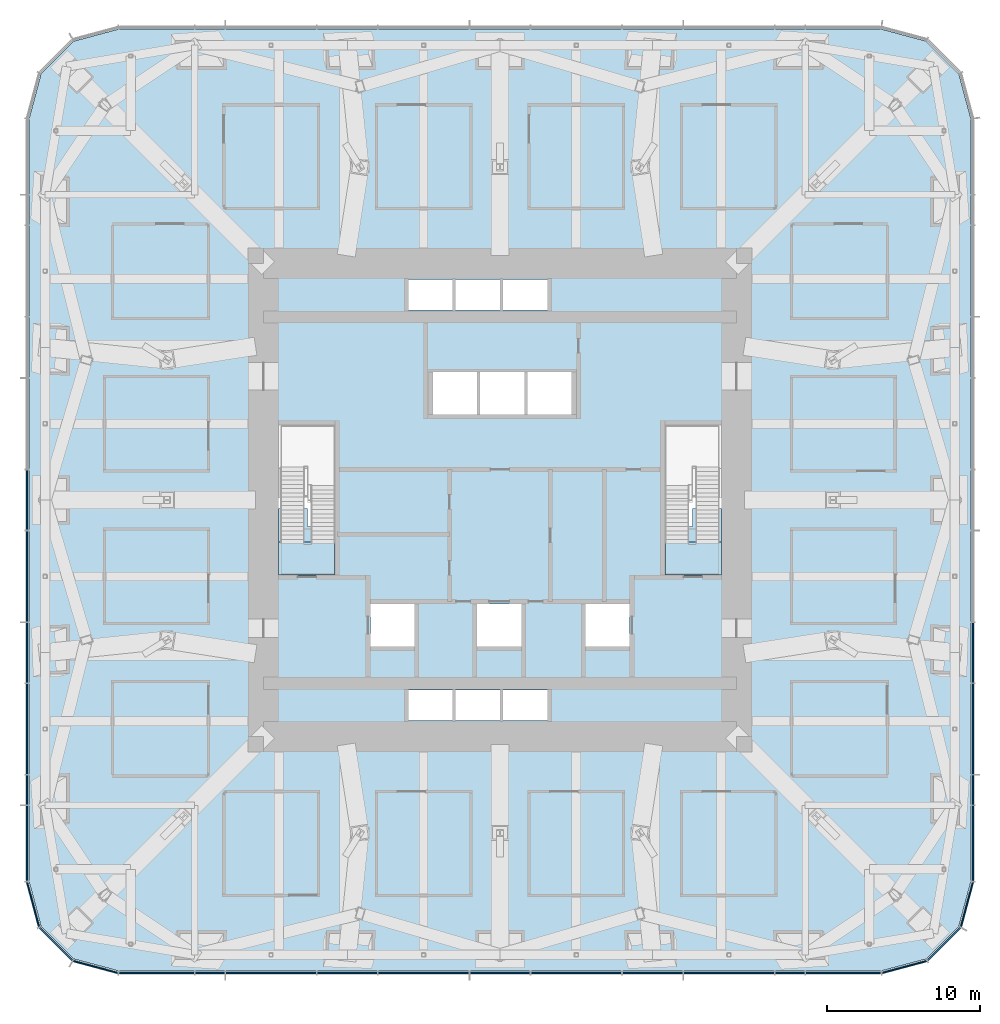
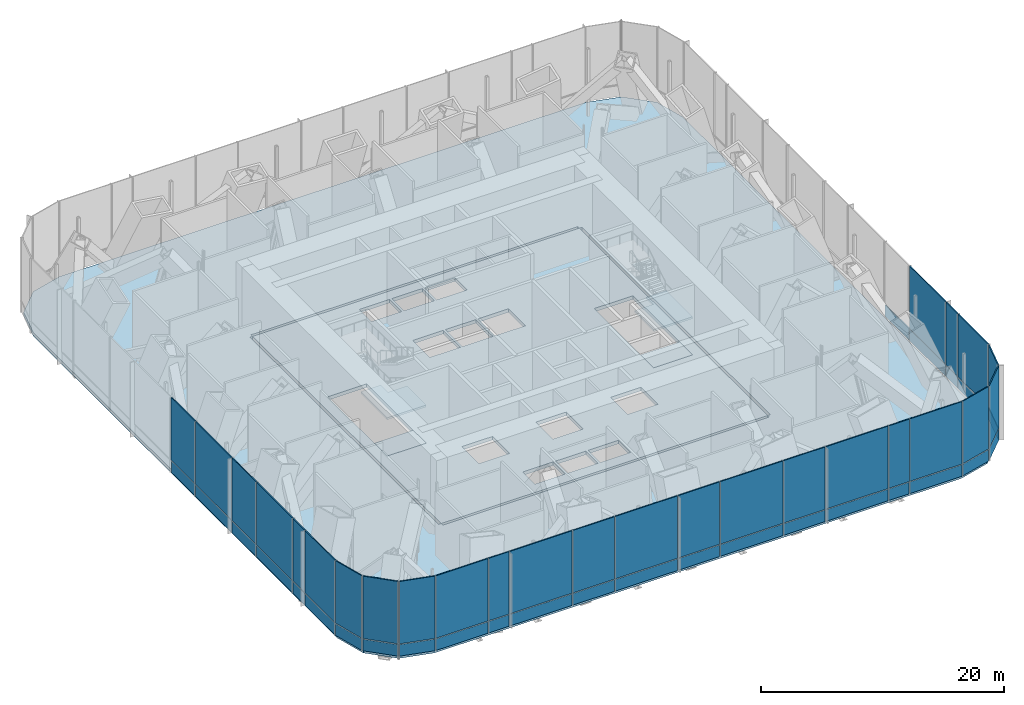
# One storey, part 10 of 20: 53 plates, 6 slabs, 7 elements without a shape of their own.
"""IFC4 building model written with IfcOpenShell, lengths in metres."""

from ifc_helpers import new_model, si_unit, direction, frame, origin, origin_2d, place, context, subcontext, project, spatial, polyline, rectangle, outline, extrude, material, layer, layer_set, type_object, element, aggregate, save


model = new_model("IFC4")

# Units and contexts
model_context = context("Model", 3, precision=1e-05, world=origin(), true_north=direction((0.0, 1.0)))
body_context = subcontext(model_context, "Body", "Model", "MODEL_VIEW")
ifc_project = project(units=[si_unit("LENGTHUNIT", "METRE"), si_unit("AREAUNIT", "SQUARE_METRE"), si_unit("VOLUMEUNIT", "CUBIC_METRE"), si_unit("PLANEANGLEUNIT", "RADIAN"), si_unit("MASSUNIT", "GRAM", prefix="KILO")], contexts=[model_context])

# Site, building, storey
site_placement = place(None, origin())
site = spatial("IfcSite", under=ifc_project, at=site_placement, CompositionType="ELEMENT")
building_placement = place(site_placement, origin())
building = spatial("IfcBuilding", under=site, at=building_placement, Name="Khuree Lantern Residences", CompositionType="ELEMENT")
storey_placement = place(building_placement, frame((0.0, 0.0, 99.75)))
storey = spatial("IfcBuildingStorey", under=building, at=storey_placement, Name="L25", CompositionType="ELEMENT", Elevation=99.75)

# Slabs
ifc_material_1 = material(Name="Concrete C35/45", Category="concrete")
ifc_layer_1 = layer(ifc_material_1, 0.35009765625)
ifc_layer_set_1 = layer_set([ifc_layer_1], Name="CFL350 CORE FLOOR SLAB 350")
slab_type_1 = type_object("IfcSlabType", Name="CFL350 CORE FLOOR SLAB 350", PredefinedType="FLOOR", material=ifc_layer_set_1)
slab_1_placement = place(storey_placement, frame((0.0, 0.0, -0.35009765625)))
element("IfcSlab", 1, at=slab_1_placement, inside=storey, type_object=slab_type_1, Name="Core floor L25", PredefinedType="FLOOR", context=body_context, shape_type="SweptSolid", body=[
    extrude(outline(polyline([(-15.5, -15.5), (-15.5, 15.5), (15.5, 15.5), (15.5, -15.5), (-15.5, -15.5)]), holes=[polyline([(14.5, 4.89990234375), (10.800048828125, 4.89990234375), (10.800048828125, -4.89990234375), (14.5, -4.89990234375), (14.5, 4.89990234375)]), polyline([(8.5, -6.800048828125), (5.60009765625, -6.800048828125), (5.60009765625, -9.60009765625), (8.5, -9.60009765625), (8.5, -6.800048828125)]), polyline([(4.699951171875, 8.39990234375), (1.800048828125, 8.39990234375), (1.800048828125, 5.60009765625), (4.699951171875, 5.60009765625), (4.699951171875, 8.39990234375)]), polyline([(0.199951171875, -12.449951171875), (0.199951171875, -14.449951171875), (3.10009765625, -14.449951171875), (3.10009765625, -12.449951171875), (0.199951171875, -12.449951171875)]), polyline([(3.10009765625, 14.449951171875), (0.199951171875, 14.449951171875), (0.199951171875, 12.449951171875), (3.10009765625, 12.449951171875), (3.10009765625, 14.449951171875)]), polyline([(1.60009765625, 8.39990234375), (-1.300048828125, 8.39990234375), (-1.300048828125, 5.60009765625), (1.60009765625, 5.60009765625), (1.60009765625, 8.39990234375)]), polyline([(1.39990234375, -6.800048828125), (-1.5, -6.800048828125), (-1.5, -9.60009765625), (1.39990234375, -9.60009765625), (1.39990234375, -6.800048828125)]), polyline([(0.0, -12.449951171875), (-2.89990234375, -12.449951171875), (-2.89990234375, -14.449951171875), (0.0, -14.449951171875), (0.0, -12.449951171875)]), polyline([(0.0, 14.449951171875), (-2.89990234375, 14.449951171875), (-2.89990234375, 12.449951171875), (0.0, 12.449951171875), (0.0, 14.449951171875)]), polyline([(-1.5, 8.39990234375), (-4.39990234375, 8.39990234375), (-4.39990234375, 5.60009765625), (-1.5, 5.60009765625), (-1.5, 8.39990234375)]), polyline([(-6.0, -12.449951171875), (-6.0, -14.449951171875), (-3.10009765625, -14.449951171875), (-3.10009765625, -12.449951171875), (-6.0, -12.449951171875)]), polyline([(-3.10009765625, 14.449951171875), (-6.0, 14.449951171875), (-6.0, 12.449951171875), (-3.10009765625, 12.449951171875), (-3.10009765625, 14.449951171875)]), polyline([(-5.60009765625, -6.800048828125), (-8.5, -6.800048828125), (-8.5, -9.60009765625), (-5.60009765625, -9.60009765625), (-5.60009765625, -6.800048828125)]), polyline([(-10.800048828125, 4.89990234375), (-14.5, 4.89990234375), (-14.5, -4.89990234375), (-10.800048828125, -4.89990234375), (-10.800048828125, 4.89990234375)])]), origin(), (0.0, 0.0, 1.0), 0.35009765625),
])
ifc_layer_2 = layer(ifc_material_1, 0.35009765625)
ifc_layer_set_2 = layer_set([ifc_layer_2], Name="FS350 FLOOR SLAB 350")
slab_type_2 = type_object("IfcSlabType", Name="FS350 FLOOR SLAB 350", PredefinedType="FLOOR", material=ifc_layer_set_2)
slab_2_placement = place(storey_placement, frame((0.0, 0.0, -0.35009765625)))
element("IfcSlab", 2, at=slab_2_placement, inside=storey, type_object=slab_type_2, Name="Floor slab L25", PredefinedType="FLOOR", context=body_context, shape_type="SweptSolid", body=[
    extrude(outline(polyline([(-27.925048828125, -30.066162109375), (-30.066162109375, -27.925048828125), (-30.85009765625, -25.0), (-30.85009765625, 25.0), (-30.066162109375, 27.925048828125), (-27.925048828125, 30.066162109375), (-25.0, 30.85009765625), (25.0, 30.85009765625), (27.925048828125, 30.066162109375), (30.066162109375, 27.925048828125), (30.85009765625, 25.0), (30.85009765625, -25.0), (30.066162109375, -27.925048828125), (27.925048828125, -30.066162109375), (25.0, -30.85009765625), (-25.0, -30.85009765625), (-27.925048828125, -30.066162109375)]), holes=[polyline([(15.75, 15.5), (15.5, 15.5), (15.5, 15.75), (-15.5, 15.75), (-15.5, 15.5), (-15.75, 15.5), (-15.75, -15.5), (-15.5, -15.5), (-15.5, -15.75), (15.5, -15.75), (15.5, -15.5), (15.75, -15.5), (15.75, 15.5)])]), origin(), (0.0, 0.0, 1.0), 0.35009765625),
])

# Curtain wall, plates
ifc_material_2 = material(Name="Bronze anodised aluminium", Category="aluminium")
curtain_wall_type = type_object("IfcCurtainWallType", Name="CW-G PLANT STOREY LOUVRED CURTAIN WALL", PredefinedType="USERDEFINED", material=ifc_material_2)
curtain_wall_1_placement = place(storey_placement, origin())
curtain_wall_1 = element("IfcCurtainWall", 3, at=curtain_wall_1_placement, inside=storey, type_object=curtain_wall_type, Name="L25 SOUTH-EAST CORNER CURTAIN WALL", ObjectType="Louvred curtain wall", PredefinedType="USERDEFINED")
ifc_material_3 = material(Name="Bronze anodised aluminium louvre blades", Category="aluminium")
ifc_layer_3 = layer(ifc_material_3, 0.10009765625)
ifc_layer_set_3 = layer_set([ifc_layer_3], Name="LOUVRE PANEL P5")
plate_type_1 = type_object("IfcPlateType", Name="LOUVRE PANEL P5", PredefinedType="CURTAIN_PANEL", material=ifc_layer_set_3)
plate_1_placement = place(storey_placement, frame((26.49609375, -30.59912109375, 1.240234375), z_axis=(0.0, 0.0, 1.0), x_axis=(0.965925792265, 0.258819172081, 0.0)))
plate_1 = element("IfcPlate", 4, at=plate_1_placement, type_object=plate_type_1, Name="L25 SOUTH-EAST CORNER PANEL 1.2", PredefinedType="CURTAIN_PANEL", context=body_context, shape_type="SweptSolid", body=[
    extrude(rectangle(XDim=3.004150390625, YDim=0.10009765625, at=origin_2d()), origin(), (0.0, 0.0, 1.0), 6.260009765625),
])
plate_2_placement = place(storey_placement, frame((29.09814453125, -29.09814453125, 1.240234375), z_axis=(0.0, 0.0, 1.0), x_axis=(0.707106781187, 0.707106781187, 0.0)))
plate_2 = element("IfcPlate", 5, at=plate_2_placement, type_object=plate_type_1, Name="L25 SOUTH-EAST CORNER PANEL 2.2", PredefinedType="CURTAIN_PANEL", context=body_context, shape_type="SweptSolid", body=[
    extrude(rectangle(XDim=2.99609375, YDim=0.10009765625, at=origin_2d()), origin(), (0.0, 0.0, 1.0), 6.260009765625),
])
plate_3_placement = place(storey_placement, frame((30.59912109375, -26.49609375, 1.240234375), z_axis=(0.0, 0.0, 1.0), x_axis=(0.258819172081, 0.965925792265, 0.0)))
plate_3 = element("IfcPlate", 6, at=plate_3_placement, type_object=plate_type_1, Name="L25 SOUTH-EAST CORNER PANEL 3.2", PredefinedType="CURTAIN_PANEL", context=body_context, shape_type="SweptSolid", body=[
    extrude(rectangle(XDim=3.004150390625, YDim=0.10009765625, at=origin_2d()), origin(), (0.0, 0.0, 1.0), 6.260009765625),
])

curtain_wall_2_placement = place(storey_placement, origin())
curtain_wall_2 = element("IfcCurtainWall", 7, at=curtain_wall_2_placement, inside=storey, type_object=curtain_wall_type, Name="L25 EAST FACE CURTAIN WALL", ObjectType="Louvred curtain wall", PredefinedType="USERDEFINED")
plate_4_placement = place(storey_placement, frame((31.0, -22.49658203125, 1.240234375), z_axis=(0.0, 0.0, 1.0), x_axis=(0.0, 1.0, 0.0)))
plate_4 = element("IfcPlate", 8, at=plate_4_placement, type_object=plate_type_1, Name="L25 EAST FACE PANEL 4.2", PredefinedType="CURTAIN_PANEL", context=body_context, shape_type="SweptSolid", body=[
    extrude(rectangle(XDim=4.9130859375, YDim=0.10009765625, at=origin_2d()), origin(), (0.0, 0.0, 1.0), 6.260009765625),
])
plate_5_placement = place(storey_placement, frame((31.0, -19.0, 1.240234375), z_axis=(0.0, 0.0, 1.0), x_axis=(0.0, 1.0, 0.0)))
plate_5 = element("IfcPlate", 9, at=plate_5_placement, type_object=plate_type_1, Name="L25 EAST FACE PANEL 5.2", PredefinedType="CURTAIN_PANEL", context=body_context, shape_type="SweptSolid", body=[
    extrude(rectangle(XDim=1.919921875, YDim=0.10009765625, at=origin_2d()), origin(), (0.0, 0.0, 1.0), 6.260009765625),
])
plate_6_placement = place(storey_placement, frame((31.0, -15.0, 1.240234375), z_axis=(0.0, 0.0, 1.0), x_axis=(0.0, 1.0, 0.0)))
plate_6 = element("IfcPlate", 10, at=plate_6_placement, type_object=plate_type_1, Name="L25 EAST FACE PANEL 6.2", PredefinedType="CURTAIN_PANEL", context=body_context, shape_type="SweptSolid", body=[
    extrude(rectangle(XDim=5.919921875, YDim=0.10009765625, at=origin_2d()), origin(), (0.0, 0.0, 1.0), 6.260009765625),
])

curtain_wall_3_placement = place(storey_placement, origin())
curtain_wall_3 = element("IfcCurtainWall", 11, at=curtain_wall_3_placement, inside=storey, type_object=curtain_wall_type, Name="L25 WEST FACE CURTAIN WALL", ObjectType="Louvred curtain wall", PredefinedType="USERDEFINED")
plate_7_placement = place(storey_placement, frame((-31.0, 0.0, 1.240234375), z_axis=(0.0, 0.0, 1.0), x_axis=(0.0, -1.0, 0.0)))
plate_7 = element("IfcPlate", 12, at=plate_7_placement, type_object=plate_type_1, Name="L25 WEST FACE PANEL 37.2", PredefinedType="CURTAIN_PANEL", context=body_context, shape_type="SweptSolid", body=[
    extrude(rectangle(XDim=3.919921875, YDim=0.10009765625, at=origin_2d()), origin(), (0.0, 0.0, 1.0), 6.260009765625),
])
plate_8_placement = place(storey_placement, frame((-31.0, -5.0, 1.240234375), z_axis=(0.0, 0.0, 1.0), x_axis=(0.0, -1.0, 0.0)))
plate_8 = element("IfcPlate", 13, at=plate_8_placement, type_object=plate_type_1, Name="L25 WEST FACE PANEL 38.2", PredefinedType="CURTAIN_PANEL", context=body_context, shape_type="SweptSolid", body=[
    extrude(rectangle(XDim=5.919921875, YDim=0.10009765625, at=origin_2d()), origin(), (0.0, 0.0, 1.0), 6.260009765625),
])
plate_9_placement = place(storey_placement, frame((-31.0, -10.0, 1.240234375), z_axis=(0.0, 0.0, 1.0), x_axis=(0.0, -1.0, 0.0)))
plate_9 = element("IfcPlate", 14, at=plate_9_placement, type_object=plate_type_1, Name="L25 WEST FACE PANEL 39.2", PredefinedType="CURTAIN_PANEL", context=body_context, shape_type="SweptSolid", body=[
    extrude(rectangle(XDim=3.919921875, YDim=0.10009765625, at=origin_2d()), origin(), (0.0, 0.0, 1.0), 6.260009765625),
])
plate_10_placement = place(storey_placement, frame((-31.0, -15.0, 1.240234375), z_axis=(0.0, 0.0, 1.0), x_axis=(0.0, -1.0, 0.0)))
plate_10 = element("IfcPlate", 15, at=plate_10_placement, type_object=plate_type_1, Name="L25 WEST FACE PANEL 40.2", PredefinedType="CURTAIN_PANEL", context=body_context, shape_type="SweptSolid", body=[
    extrude(rectangle(XDim=5.919921875, YDim=0.10009765625, at=origin_2d()), origin(), (0.0, 0.0, 1.0), 6.260009765625),
])
plate_11_placement = place(storey_placement, frame((-31.0, -19.0, 1.240234375), z_axis=(0.0, 0.0, 1.0), x_axis=(0.0, -1.0, 0.0)))
plate_11 = element("IfcPlate", 16, at=plate_11_placement, type_object=plate_type_1, Name="L25 WEST FACE PANEL 41.2", PredefinedType="CURTAIN_PANEL", context=body_context, shape_type="SweptSolid", body=[
    extrude(rectangle(XDim=1.919921875, YDim=0.10009765625, at=origin_2d()), origin(), (0.0, 0.0, 1.0), 6.260009765625),
])
plate_12_placement = place(storey_placement, frame((-31.0, -22.49658203125, 1.240234375), z_axis=(0.0, 0.0, 1.0), x_axis=(0.0, -1.0, 0.0)))
plate_12 = element("IfcPlate", 17, at=plate_12_placement, type_object=plate_type_1, Name="L25 WEST FACE PANEL 42.2", PredefinedType="CURTAIN_PANEL", context=body_context, shape_type="SweptSolid", body=[
    extrude(rectangle(XDim=4.9130859375, YDim=0.10009765625, at=origin_2d()), origin(), (0.0, 0.0, 1.0), 6.260009765625),
])

curtain_wall_4_placement = place(storey_placement, origin())
curtain_wall_4 = element("IfcCurtainWall", 18, at=curtain_wall_4_placement, inside=storey, type_object=curtain_wall_type, Name="L25 SOUTH-WEST CORNER CURTAIN WALL", ObjectType="Louvred curtain wall", PredefinedType="USERDEFINED")
plate_13_placement = place(storey_placement, frame((-30.59912109375, -26.49609375, 1.240234375), z_axis=(0.0, 0.0, 1.0), x_axis=(0.258819172081, -0.965925792265, 0.0)))
plate_13 = element("IfcPlate", 19, at=plate_13_placement, type_object=plate_type_1, Name="L25 SOUTH-WEST CORNER PANEL 43.2", PredefinedType="CURTAIN_PANEL", context=body_context, shape_type="SweptSolid", body=[
    extrude(rectangle(XDim=3.004150390625, YDim=0.10009765625, at=origin_2d()), origin(), (0.0, 0.0, 1.0), 6.260009765625),
])
plate_14_placement = place(storey_placement, frame((-29.09814453125, -29.09814453125, 1.240234375), z_axis=(0.0, 0.0, 1.0), x_axis=(0.707106781187, -0.707106781187, 0.0)))
plate_14 = element("IfcPlate", 20, at=plate_14_placement, type_object=plate_type_1, Name="L25 SOUTH-WEST CORNER PANEL 44.2", PredefinedType="CURTAIN_PANEL", context=body_context, shape_type="SweptSolid", body=[
    extrude(rectangle(XDim=2.99609375, YDim=0.10009765625, at=origin_2d()), origin(), (0.0, 0.0, 1.0), 6.260009765625),
])
plate_15_placement = place(storey_placement, frame((-26.49609375, -30.59912109375, 1.240234375), z_axis=(0.0, 0.0, 1.0), x_axis=(0.965925792265, -0.258819172081, 0.0)))
plate_15 = element("IfcPlate", 21, at=plate_15_placement, type_object=plate_type_1, Name="L25 SOUTH-WEST CORNER PANEL 45.2", PredefinedType="CURTAIN_PANEL", context=body_context, shape_type="SweptSolid", body=[
    extrude(rectangle(XDim=3.004150390625, YDim=0.10009765625, at=origin_2d()), origin(), (0.0, 0.0, 1.0), 6.260009765625),
])

curtain_wall_5_placement = place(storey_placement, origin())
curtain_wall_5 = element("IfcCurtainWall", 22, at=curtain_wall_5_placement, inside=storey, type_object=curtain_wall_type, Name="L25 SOUTH FACE CURTAIN WALL", ObjectType="Louvred curtain wall", PredefinedType="USERDEFINED")
plate_16_placement = place(storey_placement, frame((-22.49658203125, -31.0, 1.240234375), z_axis=(0.0, 0.0, 1.0), x_axis=(1.0, 0.0, 0.0)))
plate_16 = element("IfcPlate", 23, at=plate_16_placement, type_object=plate_type_1, Name="L25 SOUTH FACE PANEL 46.2", PredefinedType="CURTAIN_PANEL", context=body_context, shape_type="SweptSolid", body=[
    extrude(rectangle(XDim=4.9130859375, YDim=0.10009765625, at=origin_2d()), origin(), (0.0, 0.0, 1.0), 6.260009765625),
])
plate_17_placement = place(storey_placement, frame((-19.0, -31.0, 1.240234375), z_axis=(0.0, 0.0, 1.0), x_axis=(1.0, 0.0, 0.0)))
plate_17 = element("IfcPlate", 24, at=plate_17_placement, type_object=plate_type_1, Name="L25 SOUTH FACE PANEL 47.2", PredefinedType="CURTAIN_PANEL", context=body_context, shape_type="SweptSolid", body=[
    extrude(rectangle(XDim=1.919921875, YDim=0.10009765625, at=origin_2d()), origin(), (0.0, 0.0, 1.0), 6.260009765625),
])
plate_18_placement = place(storey_placement, frame((-15.0, -31.0, 1.240234375), z_axis=(0.0, 0.0, 1.0), x_axis=(1.0, 0.0, 0.0)))
plate_18 = element("IfcPlate", 25, at=plate_18_placement, type_object=plate_type_1, Name="L25 SOUTH FACE PANEL 48.2", PredefinedType="CURTAIN_PANEL", context=body_context, shape_type="SweptSolid", body=[
    extrude(rectangle(XDim=5.919921875, YDim=0.10009765625, at=origin_2d()), origin(), (0.0, 0.0, 1.0), 6.260009765625),
])
plate_19_placement = place(storey_placement, frame((-10.0, -31.0, 1.240234375), z_axis=(0.0, 0.0, 1.0), x_axis=(1.0, 0.0, 0.0)))
plate_19 = element("IfcPlate", 26, at=plate_19_placement, type_object=plate_type_1, Name="L25 SOUTH FACE PANEL 49.2", PredefinedType="CURTAIN_PANEL", context=body_context, shape_type="SweptSolid", body=[
    extrude(rectangle(XDim=3.919921875, YDim=0.10009765625, at=origin_2d()), origin(), (0.0, 0.0, 1.0), 6.260009765625),
])
plate_20_placement = place(storey_placement, frame((-5.0, -31.0, 1.240234375), z_axis=(0.0, 0.0, 1.0), x_axis=(1.0, 0.0, 0.0)))
plate_20 = element("IfcPlate", 27, at=plate_20_placement, type_object=plate_type_1, Name="L25 SOUTH FACE PANEL 50.2", PredefinedType="CURTAIN_PANEL", context=body_context, shape_type="SweptSolid", body=[
    extrude(rectangle(XDim=5.919921875, YDim=0.10009765625, at=origin_2d()), origin(), (0.0, 0.0, 1.0), 6.260009765625),
])
plate_21_placement = place(storey_placement, frame((0.0, -31.0, 1.240234375), z_axis=(0.0, 0.0, 1.0), x_axis=(1.0, 0.0, 0.0)))
plate_21 = element("IfcPlate", 28, at=plate_21_placement, type_object=plate_type_1, Name="L25 SOUTH FACE PANEL 51.2", PredefinedType="CURTAIN_PANEL", context=body_context, shape_type="SweptSolid", body=[
    extrude(rectangle(XDim=3.919921875, YDim=0.10009765625, at=origin_2d()), origin(), (0.0, 0.0, 1.0), 6.260009765625),
])
plate_22_placement = place(storey_placement, frame((5.0, -31.0, 1.240234375), z_axis=(0.0, 0.0, 1.0), x_axis=(1.0, 0.0, 0.0)))
plate_22 = element("IfcPlate", 29, at=plate_22_placement, type_object=plate_type_1, Name="L25 SOUTH FACE PANEL 52.2", PredefinedType="CURTAIN_PANEL", context=body_context, shape_type="SweptSolid", body=[
    extrude(rectangle(XDim=5.919921875, YDim=0.10009765625, at=origin_2d()), origin(), (0.0, 0.0, 1.0), 6.260009765625),
])
plate_23_placement = place(storey_placement, frame((10.0, -31.0, 1.240234375), z_axis=(0.0, 0.0, 1.0), x_axis=(1.0, 0.0, 0.0)))
plate_23 = element("IfcPlate", 30, at=plate_23_placement, type_object=plate_type_1, Name="L25 SOUTH FACE PANEL 53.2", PredefinedType="CURTAIN_PANEL", context=body_context, shape_type="SweptSolid", body=[
    extrude(rectangle(XDim=3.919921875, YDim=0.10009765625, at=origin_2d()), origin(), (0.0, 0.0, 1.0), 6.260009765625),
])
plate_24_placement = place(storey_placement, frame((15.0, -31.0, 1.240234375), z_axis=(0.0, 0.0, 1.0), x_axis=(1.0, 0.0, 0.0)))
plate_24 = element("IfcPlate", 31, at=plate_24_placement, type_object=plate_type_1, Name="L25 SOUTH FACE PANEL 54.2", PredefinedType="CURTAIN_PANEL", context=body_context, shape_type="SweptSolid", body=[
    extrude(rectangle(XDim=5.919921875, YDim=0.10009765625, at=origin_2d()), origin(), (0.0, 0.0, 1.0), 6.260009765625),
])
plate_25_placement = place(storey_placement, frame((19.0, -31.0, 1.240234375), z_axis=(0.0, 0.0, 1.0), x_axis=(1.0, 0.0, 0.0)))
plate_25 = element("IfcPlate", 32, at=plate_25_placement, type_object=plate_type_1, Name="L25 SOUTH FACE PANEL 55.2", PredefinedType="CURTAIN_PANEL", context=body_context, shape_type="SweptSolid", body=[
    extrude(rectangle(XDim=1.919921875, YDim=0.10009765625, at=origin_2d()), origin(), (0.0, 0.0, 1.0), 6.260009765625),
])
plate_26_placement = place(storey_placement, frame((22.49658203125, -31.0, 1.240234375), z_axis=(0.0, 0.0, 1.0), x_axis=(1.0, 0.0, 0.0)))
plate_26 = element("IfcPlate", 33, at=plate_26_placement, type_object=plate_type_1, Name="L25 SOUTH FACE PANEL 56.2", PredefinedType="CURTAIN_PANEL", context=body_context, shape_type="SweptSolid", body=[
    extrude(rectangle(XDim=4.9130859375, YDim=0.10009765625, at=origin_2d()), origin(), (0.0, 0.0, 1.0), 6.260009765625),
])

# Plate
ifc_material_4 = material(Name="Bronze anodised aluminium insulated spandrel", Category="aluminium")
ifc_layer_4 = layer(ifc_material_4, 0.080078125)
ifc_layer_set_4 = layer_set([ifc_layer_4], Name="PLANT SPANDREL PANEL P6")
plate_type_2 = type_object("IfcPlateType", Name="PLANT SPANDREL PANEL P6", PredefinedType="CURTAIN_PANEL", material=ifc_layer_set_4)
plate_27_placement = place(storey_placement, frame((26.496826171875, -30.598876953125, 0.0), z_axis=(0.0, 0.0, 1.0), x_axis=(0.965925792265, 0.258819172081, 0.0)))
plate_27 = element("IfcPlate", 34, at=plate_27_placement, type_object=plate_type_2, Name="L25 SOUTH-EAST CORNER PANEL 1.1", PredefinedType="CURTAIN_PANEL", context=body_context, shape_type="SweptSolid", body=[
    extrude(rectangle(XDim=3.008056640625, YDim=0.080078125, at=origin_2d()), origin(), (0.0, 0.0, 1.0), 1.159912109375),
])

plate_28_placement = place(storey_placement, frame((29.09814453125, -29.09814453125, 0.0), z_axis=(0.0, 0.0, 1.0), x_axis=(0.707106781187, 0.707106781187, 0.0)))
plate_28 = element("IfcPlate", 35, at=plate_28_placement, type_object=plate_type_2, Name="L25 SOUTH-EAST CORNER PANEL 2.1", PredefinedType="CURTAIN_PANEL", context=body_context, shape_type="SweptSolid", body=[
    extrude(rectangle(XDim=3.00146484375, YDim=0.080078125, at=origin_2d()), origin(), (0.0, 0.0, 1.0), 1.159912109375),
])

plate_29_placement = place(storey_placement, frame((30.598876953125, -26.496826171875, 0.0), z_axis=(0.0, 0.0, 1.0), x_axis=(0.258819172081, 0.965925792265, 0.0)))
plate_29 = element("IfcPlate", 36, at=plate_29_placement, type_object=plate_type_2, Name="L25 SOUTH-EAST CORNER PANEL 3.1", PredefinedType="CURTAIN_PANEL", context=body_context, shape_type="SweptSolid", body=[
    extrude(rectangle(XDim=3.008056640625, YDim=0.080078125, at=origin_2d()), origin(), (0.0, 0.0, 1.0), 1.159912109375),
])

aggregate(curtain_wall_1, [plate_27, plate_1, plate_28, plate_2, plate_29, plate_3])

plate_30_placement = place(storey_placement, frame((31.0, -22.497314453125, 0.0), z_axis=(0.0, 0.0, 1.0), x_axis=(0.0, 1.0, 0.0)))
plate_30 = element("IfcPlate", 37, at=plate_30_placement, type_object=plate_type_2, Name="L25 EAST FACE PANEL 4.1", PredefinedType="CURTAIN_PANEL", context=body_context, shape_type="SweptSolid", body=[
    extrude(rectangle(XDim=4.914306640625, YDim=0.080078125, at=origin_2d()), origin(), (0.0, 0.0, 1.0), 1.159912109375),
])

plate_31_placement = place(storey_placement, frame((31.0, -19.0, 0.0), z_axis=(0.0, 0.0, 1.0), x_axis=(0.0, 1.0, 0.0)))
plate_31 = element("IfcPlate", 38, at=plate_31_placement, type_object=plate_type_2, Name="L25 EAST FACE PANEL 5.1", PredefinedType="CURTAIN_PANEL", context=body_context, shape_type="SweptSolid", body=[
    extrude(rectangle(XDim=1.919921875, YDim=0.080078125, at=origin_2d()), origin(), (0.0, 0.0, 1.0), 1.159912109375),
])

plate_32_placement = place(storey_placement, frame((31.0, -15.0, 0.0), z_axis=(0.0, 0.0, 1.0), x_axis=(0.0, 1.0, 0.0)))
plate_32 = element("IfcPlate", 39, at=plate_32_placement, type_object=plate_type_2, Name="L25 EAST FACE PANEL 6.1", PredefinedType="CURTAIN_PANEL", context=body_context, shape_type="SweptSolid", body=[
    extrude(rectangle(XDim=5.919921875, YDim=0.080078125, at=origin_2d()), origin(), (0.0, 0.0, 1.0), 1.159912109375),
])

plate_33_placement = place(storey_placement, frame((31.0, -10.0, 0.0), z_axis=(0.0, 0.0, 1.0), x_axis=(0.0, 1.0, 0.0)))
plate_33 = element("IfcPlate", 40, at=plate_33_placement, type_object=plate_type_2, Name="L25 EAST FACE PANEL 7.1", PredefinedType="CURTAIN_PANEL", context=body_context, shape_type="SweptSolid", body=[
    extrude(rectangle(XDim=3.919921875, YDim=0.080078125, at=origin_2d()), origin(), (0.0, 0.0, 1.0), 1.159912109375),
])

aggregate(curtain_wall_2, [plate_30, plate_4, plate_31, plate_5, plate_32, plate_6, plate_33])

plate_34_placement = place(storey_placement, frame((-31.0, 0.0, 0.0), z_axis=(0.0, 0.0, 1.0), x_axis=(0.0, -1.0, 0.0)))
plate_34 = element("IfcPlate", 41, at=plate_34_placement, type_object=plate_type_2, Name="L25 WEST FACE PANEL 37.1", PredefinedType="CURTAIN_PANEL", context=body_context, shape_type="SweptSolid", body=[
    extrude(rectangle(XDim=3.919921875, YDim=0.080078125, at=origin_2d()), origin(), (0.0, 0.0, 1.0), 1.159912109375),
])

plate_35_placement = place(storey_placement, frame((-31.0, -5.0, 0.0), z_axis=(0.0, 0.0, 1.0), x_axis=(0.0, -1.0, 0.0)))
plate_35 = element("IfcPlate", 42, at=plate_35_placement, type_object=plate_type_2, Name="L25 WEST FACE PANEL 38.1", PredefinedType="CURTAIN_PANEL", context=body_context, shape_type="SweptSolid", body=[
    extrude(rectangle(XDim=5.919921875, YDim=0.080078125, at=origin_2d()), origin(), (0.0, 0.0, 1.0), 1.159912109375),
])

plate_36_placement = place(storey_placement, frame((-31.0, -10.0, 0.0), z_axis=(0.0, 0.0, 1.0), x_axis=(0.0, -1.0, 0.0)))
plate_36 = element("IfcPlate", 43, at=plate_36_placement, type_object=plate_type_2, Name="L25 WEST FACE PANEL 39.1", PredefinedType="CURTAIN_PANEL", context=body_context, shape_type="SweptSolid", body=[
    extrude(rectangle(XDim=3.919921875, YDim=0.080078125, at=origin_2d()), origin(), (0.0, 0.0, 1.0), 1.159912109375),
])

plate_37_placement = place(storey_placement, frame((-31.0, -15.0, 0.0), z_axis=(0.0, 0.0, 1.0), x_axis=(0.0, -1.0, 0.0)))
plate_37 = element("IfcPlate", 44, at=plate_37_placement, type_object=plate_type_2, Name="L25 WEST FACE PANEL 40.1", PredefinedType="CURTAIN_PANEL", context=body_context, shape_type="SweptSolid", body=[
    extrude(rectangle(XDim=5.919921875, YDim=0.080078125, at=origin_2d()), origin(), (0.0, 0.0, 1.0), 1.159912109375),
])

plate_38_placement = place(storey_placement, frame((-31.0, -19.0, 0.0), z_axis=(0.0, 0.0, 1.0), x_axis=(0.0, -1.0, 0.0)))
plate_38 = element("IfcPlate", 45, at=plate_38_placement, type_object=plate_type_2, Name="L25 WEST FACE PANEL 41.1", PredefinedType="CURTAIN_PANEL", context=body_context, shape_type="SweptSolid", body=[
    extrude(rectangle(XDim=1.919921875, YDim=0.080078125, at=origin_2d()), origin(), (0.0, 0.0, 1.0), 1.159912109375),
])

plate_39_placement = place(storey_placement, frame((-31.0, -22.497314453125, 0.0), z_axis=(0.0, 0.0, 1.0), x_axis=(0.0, -1.0, 0.0)))
plate_39 = element("IfcPlate", 46, at=plate_39_placement, type_object=plate_type_2, Name="L25 WEST FACE PANEL 42.1", PredefinedType="CURTAIN_PANEL", context=body_context, shape_type="SweptSolid", body=[
    extrude(rectangle(XDim=4.914306640625, YDim=0.080078125, at=origin_2d()), origin(), (0.0, 0.0, 1.0), 1.159912109375),
])

aggregate(curtain_wall_3, [plate_34, plate_7, plate_35, plate_8, plate_36, plate_9, plate_37, plate_10, plate_38, plate_11, plate_39, plate_12])

plate_40_placement = place(storey_placement, frame((-30.598876953125, -26.496826171875, 0.0), z_axis=(0.0, 0.0, 1.0), x_axis=(0.258819172081, -0.965925792265, 0.0)))
plate_40 = element("IfcPlate", 47, at=plate_40_placement, type_object=plate_type_2, Name="L25 SOUTH-WEST CORNER PANEL 43.1", PredefinedType="CURTAIN_PANEL", context=body_context, shape_type="SweptSolid", body=[
    extrude(rectangle(XDim=3.008056640625, YDim=0.080078125, at=origin_2d()), origin(), (0.0, 0.0, 1.0), 1.159912109375),
])

plate_41_placement = place(storey_placement, frame((-29.09814453125, -29.09814453125, 0.0), z_axis=(0.0, 0.0, 1.0), x_axis=(0.707106781187, -0.707106781187, 0.0)))
plate_41 = element("IfcPlate", 48, at=plate_41_placement, type_object=plate_type_2, Name="L25 SOUTH-WEST CORNER PANEL 44.1", PredefinedType="CURTAIN_PANEL", context=body_context, shape_type="SweptSolid", body=[
    extrude(rectangle(XDim=3.00146484375, YDim=0.080078125, at=origin_2d()), origin(), (0.0, 0.0, 1.0), 1.159912109375),
])

plate_42_placement = place(storey_placement, frame((-26.496826171875, -30.598876953125, 0.0), z_axis=(0.0, 0.0, 1.0), x_axis=(0.965925792265, -0.258819172081, 0.0)))
plate_42 = element("IfcPlate", 49, at=plate_42_placement, type_object=plate_type_2, Name="L25 SOUTH-WEST CORNER PANEL 45.1", PredefinedType="CURTAIN_PANEL", context=body_context, shape_type="SweptSolid", body=[
    extrude(rectangle(XDim=3.008056640625, YDim=0.080078125, at=origin_2d()), origin(), (0.0, 0.0, 1.0), 1.159912109375),
])

aggregate(curtain_wall_4, [plate_40, plate_13, plate_41, plate_14, plate_42, plate_15])

plate_43_placement = place(storey_placement, frame((-22.497314453125, -31.0, 0.0), z_axis=(0.0, 0.0, 1.0), x_axis=(1.0, 0.0, 0.0)))
plate_43 = element("IfcPlate", 50, at=plate_43_placement, type_object=plate_type_2, Name="L25 SOUTH FACE PANEL 46.1", PredefinedType="CURTAIN_PANEL", context=body_context, shape_type="SweptSolid", body=[
    extrude(rectangle(XDim=4.914306640625, YDim=0.080078125, at=origin_2d()), origin(), (0.0, 0.0, 1.0), 1.159912109375),
])

plate_44_placement = place(storey_placement, frame((-19.0, -31.0, 0.0), z_axis=(0.0, 0.0, 1.0), x_axis=(1.0, 0.0, 0.0)))
plate_44 = element("IfcPlate", 51, at=plate_44_placement, type_object=plate_type_2, Name="L25 SOUTH FACE PANEL 47.1", PredefinedType="CURTAIN_PANEL", context=body_context, shape_type="SweptSolid", body=[
    extrude(rectangle(XDim=1.919921875, YDim=0.080078125, at=origin_2d()), origin(), (0.0, 0.0, 1.0), 1.159912109375),
])

plate_45_placement = place(storey_placement, frame((-15.0, -31.0, 0.0), z_axis=(0.0, 0.0, 1.0), x_axis=(1.0, 0.0, 0.0)))
plate_45 = element("IfcPlate", 52, at=plate_45_placement, type_object=plate_type_2, Name="L25 SOUTH FACE PANEL 48.1", PredefinedType="CURTAIN_PANEL", context=body_context, shape_type="SweptSolid", body=[
    extrude(rectangle(XDim=5.919921875, YDim=0.080078125, at=origin_2d()), origin(), (0.0, 0.0, 1.0), 1.159912109375),
])

plate_46_placement = place(storey_placement, frame((-10.0, -31.0, 0.0), z_axis=(0.0, 0.0, 1.0), x_axis=(1.0, 0.0, 0.0)))
plate_46 = element("IfcPlate", 53, at=plate_46_placement, type_object=plate_type_2, Name="L25 SOUTH FACE PANEL 49.1", PredefinedType="CURTAIN_PANEL", context=body_context, shape_type="SweptSolid", body=[
    extrude(rectangle(XDim=3.919921875, YDim=0.080078125, at=origin_2d()), origin(), (0.0, 0.0, 1.0), 1.159912109375),
])

plate_47_placement = place(storey_placement, frame((-5.0, -31.0, 0.0), z_axis=(0.0, 0.0, 1.0), x_axis=(1.0, 0.0, 0.0)))
plate_47 = element("IfcPlate", 54, at=plate_47_placement, type_object=plate_type_2, Name="L25 SOUTH FACE PANEL 50.1", PredefinedType="CURTAIN_PANEL", context=body_context, shape_type="SweptSolid", body=[
    extrude(rectangle(XDim=5.919921875, YDim=0.080078125, at=origin_2d()), origin(), (0.0, 0.0, 1.0), 1.159912109375),
])

plate_48_placement = place(storey_placement, frame((0.0, -31.0, 0.0), z_axis=(0.0, 0.0, 1.0), x_axis=(1.0, 0.0, 0.0)))
plate_48 = element("IfcPlate", 55, at=plate_48_placement, type_object=plate_type_2, Name="L25 SOUTH FACE PANEL 51.1", PredefinedType="CURTAIN_PANEL", context=body_context, shape_type="SweptSolid", body=[
    extrude(rectangle(XDim=3.919921875, YDim=0.080078125, at=origin_2d()), origin(), (0.0, 0.0, 1.0), 1.159912109375),
])

plate_49_placement = place(storey_placement, frame((5.0, -31.0, 0.0), z_axis=(0.0, 0.0, 1.0), x_axis=(1.0, 0.0, 0.0)))
plate_49 = element("IfcPlate", 56, at=plate_49_placement, type_object=plate_type_2, Name="L25 SOUTH FACE PANEL 52.1", PredefinedType="CURTAIN_PANEL", context=body_context, shape_type="SweptSolid", body=[
    extrude(rectangle(XDim=5.919921875, YDim=0.080078125, at=origin_2d()), origin(), (0.0, 0.0, 1.0), 1.159912109375),
])

plate_50_placement = place(storey_placement, frame((10.0, -31.0, 0.0), z_axis=(0.0, 0.0, 1.0), x_axis=(1.0, 0.0, 0.0)))
plate_50 = element("IfcPlate", 57, at=plate_50_placement, type_object=plate_type_2, Name="L25 SOUTH FACE PANEL 53.1", PredefinedType="CURTAIN_PANEL", context=body_context, shape_type="SweptSolid", body=[
    extrude(rectangle(XDim=3.919921875, YDim=0.080078125, at=origin_2d()), origin(), (0.0, 0.0, 1.0), 1.159912109375),
])

plate_51_placement = place(storey_placement, frame((15.0, -31.0, 0.0), z_axis=(0.0, 0.0, 1.0), x_axis=(1.0, 0.0, 0.0)))
plate_51 = element("IfcPlate", 58, at=plate_51_placement, type_object=plate_type_2, Name="L25 SOUTH FACE PANEL 54.1", PredefinedType="CURTAIN_PANEL", context=body_context, shape_type="SweptSolid", body=[
    extrude(rectangle(XDim=5.919921875, YDim=0.080078125, at=origin_2d()), origin(), (0.0, 0.0, 1.0), 1.159912109375),
])

plate_52_placement = place(storey_placement, frame((19.0, -31.0, 0.0), z_axis=(0.0, 0.0, 1.0), x_axis=(1.0, 0.0, 0.0)))
plate_52 = element("IfcPlate", 59, at=plate_52_placement, type_object=plate_type_2, Name="L25 SOUTH FACE PANEL 55.1", PredefinedType="CURTAIN_PANEL", context=body_context, shape_type="SweptSolid", body=[
    extrude(rectangle(XDim=1.919921875, YDim=0.080078125, at=origin_2d()), origin(), (0.0, 0.0, 1.0), 1.159912109375),
])

plate_53_placement = place(storey_placement, frame((22.497314453125, -31.0, 0.0), z_axis=(0.0, 0.0, 1.0), x_axis=(1.0, 0.0, 0.0)))
plate_53 = element("IfcPlate", 60, at=plate_53_placement, type_object=plate_type_2, Name="L25 SOUTH FACE PANEL 56.1", PredefinedType="CURTAIN_PANEL", context=body_context, shape_type="SweptSolid", body=[
    extrude(rectangle(XDim=4.914306640625, YDim=0.080078125, at=origin_2d()), origin(), (0.0, 0.0, 1.0), 1.159912109375),
])

aggregate(curtain_wall_5, [plate_43, plate_16, plate_44, plate_17, plate_45, plate_18, plate_46, plate_19, plate_47, plate_20, plate_48, plate_21, plate_49, plate_22, plate_50, plate_23, plate_51, plate_24, plate_52, plate_25, plate_53, plate_26])

# Stair, slabs
ifc_material_5 = material(Name="Concrete C40/50", Category="concrete")
stair_type = type_object("IfcStairType", Name="STAIR ST1 HALF TURN 3600", PredefinedType="HALF_TURN_STAIR", material=ifc_material_5)
stair_1_placement = place(storey_placement, origin())
stair_1 = element("IfcStair", 61, at=stair_1_placement, inside=storey, type_object=stair_type, Name="Stair ST1", PredefinedType="HALF_TURN_STAIR")
ifc_layer_5 = layer(ifc_material_5, 0.199951171875)
ifc_layer_set_5 = layer_set([ifc_layer_5], Name="STAIR LANDING SL1 200")
slab_type_3 = type_object("IfcSlabType", Name="STAIR LANDING SL1 200", PredefinedType="LANDING", material=ifc_layer_set_5)
slab_3_placement = place(storey_placement, frame((0.0, 0.0, -0.199951171875)))
slab_3 = element("IfcSlab", 62, at=slab_3_placement, type_object=slab_type_3, Name="ST1 landing 1", PredefinedType="LANDING", context=body_context, shape_type="SweptSolid", body=[
    extrude(outline(polyline([(-14.5, -4.89990234375), (-10.800048828125, -4.89990234375), (-10.800048828125, -2.760009765625), (-14.5, -2.760009765625), (-14.5, -4.89990234375)])), origin(), (0.0, 0.0, 1.0), 0.199951171875),
])
slab_4_placement = place(storey_placement, frame((0.0, 0.0, 3.63330078125)))
slab_4 = element("IfcSlab", 63, at=slab_4_placement, type_object=slab_type_3, Name="ST1 landing 3", PredefinedType="LANDING", context=body_context, shape_type="SweptSolid", body=[
    extrude(outline(polyline([(-10.800048828125, -1.75), (-10.800048828125, -4.89990234375), (-14.5, -4.89990234375), (-14.5, -0.550048828125), (-12.60009765625, -0.550048828125), (-12.60009765625, -1.75), (-10.800048828125, -1.75)])), origin(), (0.0, 0.0, 1.0), 0.199951171875),
])
aggregate(stair_1, [slab_3, slab_4])

stair_2_placement = place(storey_placement, origin())
stair_2 = element("IfcStair", 64, at=stair_2_placement, inside=storey, type_object=stair_type, Name="Stair ST2", PredefinedType="HALF_TURN_STAIR")
slab_5_placement = place(storey_placement, frame((0.0, 0.0, -0.199951171875)))
slab_5 = element("IfcSlab", 65, at=slab_5_placement, type_object=slab_type_3, Name="ST2 landing 1", PredefinedType="LANDING", context=body_context, shape_type="SweptSolid", body=[
    extrude(outline(polyline([(10.800048828125, -4.89990234375), (14.5, -4.89990234375), (14.5, -2.760009765625), (10.800048828125, -2.760009765625), (10.800048828125, -4.89990234375)])), origin(), (0.0, 0.0, 1.0), 0.199951171875),
])
slab_6_placement = place(storey_placement, frame((0.0, 0.0, 3.63330078125)))
slab_6 = element("IfcSlab", 66, at=slab_6_placement, type_object=slab_type_3, Name="ST2 landing 3", PredefinedType="LANDING", context=body_context, shape_type="SweptSolid", body=[
    extrude(outline(polyline([(14.5, -4.89990234375), (10.800048828125, -4.89990234375), (10.800048828125, -1.75), (12.60009765625, -1.75), (12.60009765625, -0.550048828125), (14.5, -0.550048828125), (14.5, -4.89990234375)])), origin(), (0.0, 0.0, 1.0), 0.199951171875),
])
aggregate(stair_2, [slab_5, slab_6])

save(model, "model.ifc")
